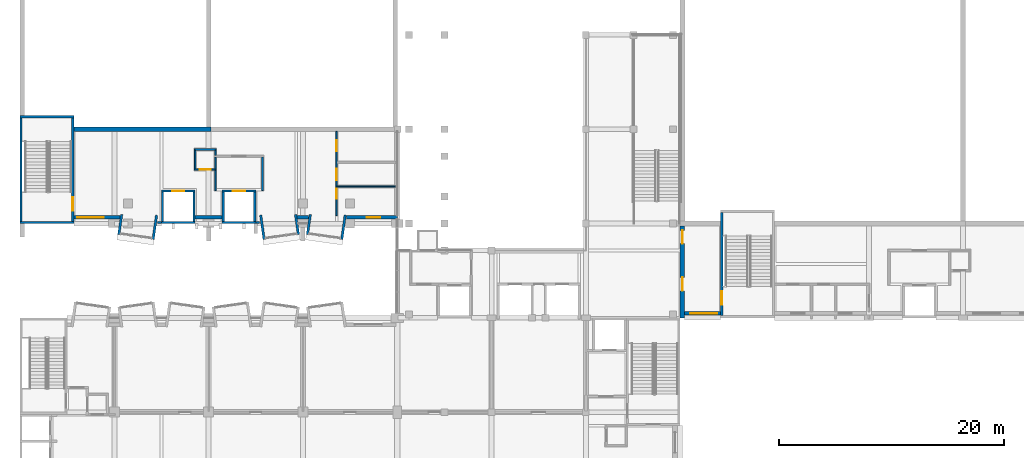
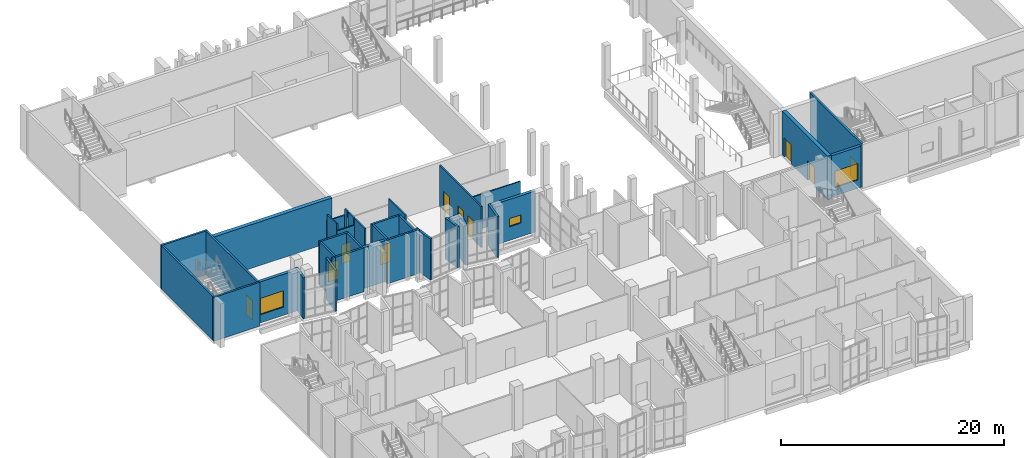
# One storey, part 33 of 91: 37 walls, 10 doors, 3 windows, 13 openings.
"""IFC4 building model written with IfcOpenShell, lengths in metres."""

import ifcopenshell
import ifcopenshell.guid

model = None  # the IFC model being written
_history = None  # IfcOwnerHistory: only IFC2X3 demands one
_inside = {}  # id of a spatial element -> (the spatial element, [elements in it])
_under = {}  # id of a project, library or spatial element -> (it, [spatial elements below it])
_declared = {}  # id of a project -> (the project, [libraries it declares])
_typed = {}  # id of a type object -> (the type object, [elements of that type])
_made_of = {}  # id of a material, layer set ... -> (it, [elements and type objects made of it])


def new_model(schema):
    """Start an empty IFC model of exactly this schema.

    Asked for "IFC4X3", IfcOpenShell would pick the latest addendum, in which some entities
    have other attributes; the version numbers below select the first issue.
    IFC2X3 requires an IfcOwnerHistory on every rooted entity: one is made here for all.
    """
    global model, _history
    if schema == "IFC4X3":
        model = ifcopenshell.file(schema_version=(4, 3, 0, 0))
    else:
        model = ifcopenshell.file(schema=schema)
    _inside.clear()
    _under.clear()
    _declared.clear()
    _typed.clear()
    _made_of.clear()
    _history = None
    if model.schema == "IFC2X3":
        org = make("IfcOrganization", Name="unknown")
        user = make(
            "IfcPersonAndOrganization",
            ThePerson=make("IfcPerson", FamilyName="unknown"),
            TheOrganization=org,
        )
        app = make(
            "IfcApplication",
            ApplicationDeveloper=org,
            Version="unknown",
            ApplicationFullName="unknown",
            ApplicationIdentifier="unknown",
        )
        _history = make(
            "IfcOwnerHistory",
            OwningUser=user,
            OwningApplication=app,
            ChangeAction="ADDED",
            CreationDate=0,
        )
    return model


def make(cls, **values):
    """One entity of the class cls with the attributes given. An attribute that is None is left unset."""
    return model.create_entity(
        cls, **{name: value for name, value in values.items() if value is not None}
    )


def rooted(cls, **values):
    """An entity with a GlobalId (a new one), such as an element, a storey or a relation."""
    return make(cls, GlobalId=ifcopenshell.guid.new(), OwnerHistory=_history, **values)


def si_unit(unit_type, name, prefix=None):
    """IfcSIUnit, for example si_unit("LENGTHUNIT", "METRE", prefix="MILLI")."""
    return make("IfcSIUnit", UnitType=unit_type, Prefix=prefix, Name=name)


def assignment(units):
    """IfcUnitAssignment: the units of a project."""
    return None if units is None else make("IfcUnitAssignment", Units=units)


def point(xyz):
    """IfcCartesianPoint."""
    return None if xyz is None else make("IfcCartesianPoint", Coordinates=xyz)


def direction(xyz):
    """IfcDirection."""
    return None if xyz is None else make("IfcDirection", DirectionRatios=xyz)


def frame(location, z_axis=None, x_axis=None):
    """IfcAxis2Placement3D, a coordinate frame: its origin and axes. An axis left out is left unset."""
    return make(
        "IfcAxis2Placement3D",
        Location=point(location),
        Axis=direction(z_axis),
        RefDirection=direction(x_axis),
    )


def frame_2d(location, x_axis=None):
    """IfcAxis2Placement2D, a coordinate frame in the plane: its origin and x axis."""
    return make(
        "IfcAxis2Placement2D", Location=point(location), RefDirection=direction(x_axis)
    )


def origin():
    """The frame at (0, 0, 0) with its axes left unset."""
    return frame((0.0, 0.0, 0.0))


def place(relative_to, where):
    """IfcLocalPlacement: puts the frame where relative to a parent placement (None: the world)."""
    return make(
        "IfcLocalPlacement", PlacementRelTo=relative_to, RelativePlacement=where
    )


def context(
    kind, dimensions, precision=None, world=None, true_north=None, identifier=None
):
    """IfcGeometricRepresentationContext, for example the 3D "Model" context."""
    return make(
        "IfcGeometricRepresentationContext",
        ContextIdentifier=identifier,
        ContextType=kind,
        CoordinateSpaceDimension=dimensions,
        Precision=precision,
        WorldCoordinateSystem=world,
        TrueNorth=true_north,
    )


def subcontext(parent, identifier, kind, view, scale=None):
    """IfcGeometricRepresentationSubContext, for example "Body" below "Model"."""
    return make(
        "IfcGeometricRepresentationSubContext",
        ContextIdentifier=identifier,
        ContextType=kind,
        ParentContext=parent,
        TargetScale=scale,
        TargetView=view,
    )


def project(units=None, contexts=None):
    """IfcProject with its units and contexts."""
    return rooted(
        "IfcProject",
        Name="project",
        RepresentationContexts=contexts,
        UnitsInContext=assignment(units),
    )


def spatial(cls, under=None, at=None, **own):
    """A site, building, storey or space (cls), placed at a placement, below another one or the project."""
    s = rooted(cls, ObjectPlacement=at, **own)
    if under is not None:
        _under.setdefault(under.id(), (under, []))[1].append(s)
    return s


def profile(cls, at=None, kind="AREA", **sizes):
    """A parametric profile (cls). Its sizes go by their IFC names, for example OverallWidth=200.0."""
    return make(cls, ProfileType=kind, Position=at, **sizes)


def rectangle(**sizes):
    """IfcRectangleProfileDef."""
    return profile("IfcRectangleProfileDef", **sizes)


def extrude(swept, where, along, depth):
    """IfcExtrudedAreaSolid: the profile swept, set in the frame where, extruded along a direction by depth."""
    return make(
        "IfcExtrudedAreaSolid",
        SweptArea=swept,
        Position=where,
        ExtrudedDirection=direction(along),
        Depth=depth,
    )


def shape(context_of_items, identifier, shape_type, items):
    """IfcShapeRepresentation: the items that make up one representation, for example the "Body"."""
    return make(
        "IfcShapeRepresentation",
        ContextOfItems=context_of_items,
        RepresentationIdentifier=identifier,
        RepresentationType=shape_type,
        Items=items,
    )


def material(Name=None, Category=None):
    """IfcMaterial."""
    return make("IfcMaterial", Name=Name, Category=Category)


def layer(
    of_material, thickness, ventilated=None, Name=None, Category=None, Priority=None
):
    """IfcMaterialLayer: one layer of a wall or slab, of a material (None: an air gap)."""
    return make(
        "IfcMaterialLayer",
        Material=of_material,
        LayerThickness=thickness,
        IsVentilated=ventilated,
        Name=Name,
        Category=Category,
        Priority=Priority,
    )


def layer_set(layers, Name=None):
    """IfcMaterialLayerSet."""
    return make("IfcMaterialLayerSet", MaterialLayers=layers, LayerSetName=Name)


def made_of(thing, what):
    """Note that an element or type object is made of a material, layer set ...; save() writes the relation."""
    if what is not None:
        _made_of.setdefault(what.id(), (what, []))[1].append(thing)
    return thing


def type_object(cls, material=None, **own):
    """A type object (cls), such as IfcWallType, which elements share."""
    return made_of(rooted(cls, **own), material)


def element(
    cls,
    number,
    at=None,
    inside=None,
    cuts=None,
    type_object=None,
    material=None,
    context=None,
    identifier="Body",
    shape_type=None,
    held_by="IfcProductDefinitionShape",
    body=None,
    shapes=None,
    **own,
):
    """One element of the class cls, such as IfcWall. Its Tag is "e" and its number.

    at: its placement. inside: the storey or other place that contains it. cuts: it is an
    opening in that element (IfcRelVoidsElement). A single representation is given by context,
    identifier, shape_type and body (its items); several are given by shapes. held_by: the class
    of the entity that holds the representations. save() writes the other relations.
    """
    e = rooted(cls, Tag="e%d" % number, ObjectPlacement=at, **own)
    if body is not None:
        shapes = [shape(context, identifier, shape_type, body)]
    if shapes is not None:
        e.Representation = make(held_by, Representations=shapes)
    if inside is not None:
        _inside.setdefault(inside.id(), (inside, []))[1].append(e)
    if cuts is not None:
        rooted(
            "IfcRelVoidsElement", RelatingBuildingElement=cuts, RelatedOpeningElement=e
        )
    if type_object is not None:
        _typed.setdefault(type_object.id(), (type_object, []))[1].append(e)
    return made_of(e, material)


def fill(opening, filler):
    """IfcRelFillsElement: the door or window that sits in an opening."""
    return rooted(
        "IfcRelFillsElement",
        RelatingOpeningElement=opening,
        RelatedBuildingElement=filler,
    )


def aggregate(whole, parts):
    """IfcRelAggregates: a whole, such as a stair, and the parts it consists of."""
    return rooted("IfcRelAggregates", RelatingObject=whole, RelatedObjects=parts)


def save(model, path):
    """Write the relations noted so far, then the file.

    IfcRelAggregates (storeys below a building ...), IfcRelContainedInSpatialStructure (elements
    in a storey), IfcRelDefinesByType, IfcRelAssociatesMaterial and IfcRelDeclares: one each for
    every whole, place, type object, material and project.
    """
    for whole, parts in _under.values():
        aggregate(whole, parts)
    for where, things in _inside.values():
        rooted(
            "IfcRelContainedInSpatialStructure",
            RelatedElements=things,
            RelatingStructure=where,
        )
    for kind, things in _typed.values():
        rooted("IfcRelDefinesByType", RelatedObjects=things, RelatingType=kind)
    for what, things in _made_of.values():
        rooted("IfcRelAssociatesMaterial", RelatedObjects=things, RelatingMaterial=what)
    for by, libraries in _declared.values():
        rooted("IfcRelDeclares", RelatingContext=by, RelatedDefinitions=libraries)
    model.write(path)


model = new_model("IFC4")

# Units and contexts
model_context = context("Model", 3, precision=1e-05, world=origin(), true_north=direction((0.0, 1.0)))
body_context = subcontext(model_context, "Body", "Model", "MODEL_VIEW")
ifc_project = project(units=[si_unit("LENGTHUNIT", "METRE"), si_unit("AREAUNIT", "SQUARE_METRE"), si_unit("VOLUMEUNIT", "CUBIC_METRE"), si_unit("PLANEANGLEUNIT", "RADIAN"), si_unit("MASSUNIT", "GRAM", prefix="KILO")], contexts=[model_context])

# Site, building, storey
site_placement = place(None, origin())
site = spatial("IfcSite", under=ifc_project, at=site_placement, CompositionType="ELEMENT")
building_placement = place(site_placement, origin())
building = spatial("IfcBuilding", under=site, at=building_placement, Name="Kiln Court Media Centre", CompositionType="ELEMENT")
storey_placement = place(building_placement, frame((0.0, 0.0, 5.39990234375)))
storey = spatial("IfcBuildingStorey", under=building, at=storey_placement, Name="L01", CompositionType="ELEMENT", Elevation=5.39990234375)

# Walls
ifc_material_1 = material(Name="Concrete block masonry M7.5", Category="masonry")
ifc_layer_1 = layer(ifc_material_1, 0.14990234375)
ifc_layer_set_1 = layer_set([ifc_layer_1], Name="Block lobby wall 150 EI 120")
wall_type_1 = type_object("IfcWallType", Name="Block lobby wall 150 EI 120", PredefinedType="SOLIDWALL", material=ifc_layer_set_1)
wall_1_placement = place(storey_placement, frame((17.39990234375, 36.52490234375, 0.0), z_axis=(0.0, 0.0, 1.0), x_axis=(0.0, 1.0, 0.0)))
element("IfcWall", 1, at=wall_1_placement, inside=storey, type_object=wall_type_1, Name="L01 block lobby wall", PredefinedType="SOLIDWALL", context=body_context, shape_type="SweptSolid", body=[
    extrude(rectangle(XDim=1.800048828125, YDim=0.14990234375, at=frame_2d((0.89990234375, 0.0))), origin(), (0.0, 0.0, 1.0), 4.5),
])
wall_2_placement = place(storey_placement, frame((17.39990234375, 38.47509765625, 0.0), z_axis=(0.0, 0.0, 1.0), x_axis=(0.0, 1.0, 0.0)))
element("IfcWall", 2, at=wall_2_placement, inside=storey, type_object=wall_type_1, Name="L01 block lobby wall", PredefinedType="SOLIDWALL", context=body_context, shape_type="SweptSolid", body=[
    extrude(rectangle(XDim=1.0498046875, YDim=0.14990234375, at=frame_2d((0.52490234375, 0.0))), origin(), (0.0, 0.0, 1.0), 4.5),
])
wall_3_placement = place(storey_placement, frame((21.60009765625, 36.52490234375, 0.0), z_axis=(0.0, 0.0, 1.0), x_axis=(0.0, 1.0, 0.0)))
element("IfcWall", 3, at=wall_3_placement, inside=storey, type_object=wall_type_1, Name="L01 block lobby wall", PredefinedType="SOLIDWALL", context=body_context, shape_type="SweptSolid", body=[
    extrude(rectangle(XDim=3.0, YDim=0.14990234375, at=frame_2d((1.5, 0.0))), origin(), (0.0, 0.0, 1.0), 4.5),
])
ifc_material_2 = material(Name="Brick masonry facing leaf with RC backing", Category="masonry")
ifc_layer_2 = layer(ifc_material_2, 0.215087890625)
ifc_layer_set_2 = layer_set([ifc_layer_2], Name="Brick masonry bay cheek wall 215")
wall_type_2 = type_object("IfcWallType", Name="Brick masonry bay cheek wall 215", PredefinedType="SOLIDWALL", material=ifc_layer_set_2)
wall_4_placement = place(storey_placement, frame((9.055908203125, 34.40869140625, 0.0), z_axis=(0.0, 0.0, 1.0), x_axis=(-0.13918000587, -0.990267098295, 0.0)))
element("IfcWall", 4, at=wall_4_placement, inside=storey, type_object=wall_type_2, Name="BAY V4-S-L01-03 cheek L", PredefinedType="SOLIDWALL", context=body_context, shape_type="SweptSolid", body=[
    extrude(rectangle(XDim=1.7998046875, YDim=0.215087890625, at=frame_2d((0.89990234375, 0.0))), origin(), (0.0, 0.0, 1.0), 4.5),
])
wall_5_placement = place(storey_placement, frame((12.162353515625, 34.344970703125, 0.0), z_axis=(0.0, 0.0, 1.0), x_axis=(-0.139120311566, -0.990275486372, 0.0)))
element("IfcWall", 5, at=wall_5_placement, inside=storey, type_object=wall_type_2, Name="BAY V4-S-L01-03 cheek R", PredefinedType="SOLIDWALL", context=body_context, shape_type="SweptSolid", body=[
    extrude(rectangle(XDim=2.1689453125, YDim=0.215087890625, at=frame_2d((1.08447265625, 0.0))), origin(), (0.0, 0.0, 1.0), 4.5),
])
wall_6_placement = place(storey_placement, frame((21.4375, 34.344970703125, 0.0), z_axis=(0.0, 0.0, 1.0), x_axis=(0.139230687381, -0.99025997379, 0.0)))
element("IfcWall", 6, at=wall_6_placement, inside=storey, type_object=wall_type_2, Name="BAY V4-S-L01-06 cheek L", PredefinedType="SOLIDWALL", context=body_context, shape_type="SweptSolid", body=[
    extrude(rectangle(XDim=2.169189453125, YDim=0.215087890625, at=frame_2d((1.08447265625, 0.0))), origin(), (0.0, 0.0, 1.0), 4.5),
])
for number, where, z_axis, x_axis, name in (
    (7, (24.5439453125, 34.40869140625, 0.0), (0.0, 0.0, 1.0), (0.13918000587, -0.990267098295, 0.0), "BAY V4-S-L01-06 cheek R"),
    (8, (25.85595703125, 34.40869140625, 0.0), (0.0, 0.0, 1.0), (-0.13918000587, -0.990267098295, 0.0), "BAY V4-S-L01-07 cheek L"),
):
    element("IfcWall", number, at=place(storey_placement, frame(where, z_axis=z_axis, x_axis=x_axis)), inside=storey, type_object=wall_type_2, Name=name, PredefinedType="SOLIDWALL", context=body_context, shape_type="SweptSolid", body=[
        extrude(rectangle(XDim=1.7998046875, YDim=0.215087890625, at=frame_2d((0.89990234375, 0.0))), origin(), (0.0, 0.0, 1.0), 4.5),
    ])
wall_7_placement = place(storey_placement, frame((28.96240234375, 34.344970703125, 0.0), z_axis=(0.0, 0.0, 1.0), x_axis=(-0.139230687381, -0.99025997379, 0.0)))
element("IfcWall", 9, at=wall_7_placement, inside=storey, type_object=wall_type_2, Name="BAY V4-S-L01-07 cheek R", PredefinedType="SOLIDWALL", context=body_context, shape_type="SweptSolid", body=[
    extrude(rectangle(XDim=2.169189453125, YDim=0.215087890625, at=frame_2d((1.08447265625, 0.0))), origin(), (0.0, 0.0, 1.0), 4.5),
])
ifc_material_3 = material(Name="Concrete C40/50", Category="concrete")
ifc_layer_3 = layer(ifc_material_3, 0.39990234375)
ifc_layer_set_3 = layer_set([ifc_layer_3], Name="Concrete C40/50 auditorium wall 400")
wall_type_3 = type_object("IfcWallType", Name="Concrete C40/50 auditorium wall 400", PredefinedType="SHEAR", material=ifc_layer_set_3)
wall_8_placement = place(storey_placement, frame((17.0, 42.0, 0.0), z_axis=(0.0, 0.0, 1.0), x_axis=(-1.0, 0.0, 0.0)))
element("IfcWall", 10, at=wall_8_placement, inside=storey, type_object=wall_type_3, Name="L01-W-1118", PredefinedType="SHEAR", context=body_context, shape_type="SweptSolid", body=[
    extrude(rectangle(XDim=12.199951171875, YDim=0.39990234375, at=frame_2d((6.10009765625, 0.0))), origin(), (0.0, 0.0, 1.0), 4.800048828125),
])

# Wall, openings, doors
wall_9_placement = place(storey_placement, frame((59.0, 25.199951171875, 0.0), z_axis=(0.0, 0.0, 1.0), x_axis=(0.0, 1.0, 0.0)))
wall_9 = element("IfcWall", 11, at=wall_9_placement, inside=storey, type_object=wall_type_3, Name="L01-W-1141", PredefinedType="SHEAR", context=body_context, shape_type="SweptSolid", body=[
    extrude(rectangle(XDim=8.175048828125, YDim=0.39990234375, at=frame_2d((4.08740234375, 0.0))), origin(), (0.0, 0.0, 1.0), 4.800048828125),
])
opening_1_placement = place(wall_9_placement, frame((2.39990234375, 0.0, 0.0)))
opening_1 = element("IfcOpeningElement", 12, at=opening_1_placement, cuts=wall_9, Name="Opening D1019", PredefinedType="OPENING", context=body_context, shape_type="SweptSolid", body=[
    extrude(rectangle(XDim=1.199951171875, YDim=2.10009765625, at=frame_2d((0.60009765625, 1.050048828125))), frame((0.0, 0.2099609375, 0.0), z_axis=(0.0, -1.0, 0.0), x_axis=(1.0, 0.0, 0.0)), (0.0, 0.0, 1.0), 0.419921875),
])
opening_2_placement = place(wall_9_placement, frame((6.60009765625, 0.0, 0.0)))
opening_2 = element("IfcOpeningElement", 13, at=opening_2_placement, cuts=wall_9, Name="Opening D1020", PredefinedType="OPENING", context=body_context, shape_type="SweptSolid", body=[
    extrude(rectangle(XDim=1.199951171875, YDim=2.10009765625, at=frame_2d((0.60009765625, 1.050048828125))), frame((0.0, 0.2099609375, 0.0), z_axis=(0.0, -1.0, 0.0), x_axis=(1.0, 0.0, 0.0)), (0.0, 0.0, 1.0), 0.419921875),
])
ifc_material_4 = material(Name="Steel S275", Category="steel")
door_type_1 = type_object("IfcDoorType", Name="Steel fire-wall door 1200 x 2100 FD180", OperationType="SINGLE_SWING_LEFT", PredefinedType="DOOR", material=ifc_material_4)
door_1_placement = place(opening_1_placement, origin())
door_1 = element("IfcDoor", 14, at=door_1_placement, inside=storey, type_object=door_type_1, Name="South Gallery East / Foyer Link", OperationType="SINGLE_SWING_RIGHT", OverallHeight=2.10009765625, OverallWidth=1.199951171875, PredefinedType="DOOR", context=body_context, shape_type="SweptSolid", body=[
    extrude(rectangle(XDim=1.199951171875, YDim=2.10009765625, at=frame_2d((0.60009765625, 1.050048828125))), frame((0.0, 0.02490234375, 0.0), z_axis=(0.0, -1.0, 0.0), x_axis=(1.0, 0.0, 0.0)), (0.0, 0.0, 1.0), 0.050048828125),
])
fill(opening_1, door_1)
door_2_placement = place(opening_2_placement, origin())
door_2 = element("IfcDoor", 15, at=door_2_placement, inside=storey, type_object=door_type_1, Name="Stair Landing Gallery / Foyer Link", OperationType="SINGLE_SWING_LEFT", OverallHeight=2.10009765625, OverallWidth=1.199951171875, PredefinedType="DOOR", context=body_context, shape_type="SweptSolid", body=[
    extrude(rectangle(XDim=1.199951171875, YDim=2.10009765625, at=frame_2d((0.60009765625, 1.050048828125))), frame((0.0, 0.02490234375, 0.0), z_axis=(0.0, -1.0, 0.0), x_axis=(1.0, 0.0, 0.0)), (0.0, 0.0, 1.0), 0.050048828125),
])
fill(opening_2, door_2)

# Wall, opening, window
ifc_material_5 = material(Name="Concrete C40/50", Category="concrete")
ifc_layer_4 = layer(ifc_material_5, 0.300048828125)
ifc_layer_set_4 = layer_set([ifc_layer_4], Name="Concrete C40/50 board-marked facade wall 300")
wall_type_4 = type_object("IfcWallType", Name="Concrete C40/50 board-marked facade wall 300", PredefinedType="SOLIDWALL", material=ifc_layer_set_4)
wall_10_placement = place(storey_placement, frame((62.39990234375, 25.60009765625, 0.0), z_axis=(0.0, 0.0, 1.0), x_axis=(-1.0, 0.0, 0.0)))
wall_10 = element("IfcWall", 16, at=wall_10_placement, inside=storey, type_object=wall_type_4, Name="V1 S facade wall 4000", PredefinedType="SOLIDWALL", context=body_context, shape_type="SweptSolid", body=[
    extrude(rectangle(XDim=3.199951171875, YDim=0.300048828125, at=frame_2d((1.60009765625, 0.0))), origin(), (0.0, 0.0, 1.0), 4.5),
])
opening_3_placement = place(wall_10_placement, frame((0.300048828125, 0.0, 0.89990234375)))
opening_3 = element("IfcOpeningElement", 17, at=opening_3_placement, cuts=wall_10, Name="Opening WN1500", PredefinedType="OPENING", context=body_context, shape_type="SweptSolid", body=[
    extrude(rectangle(XDim=2.39990234375, YDim=1.800048828125, at=frame_2d((1.199951171875, 0.89990234375))), frame((0.0, 0.159912109375, 0.0), z_axis=(0.0, -1.0, 0.0), x_axis=(1.0, 0.0, 0.0)), (0.0, 0.0, 1.0), 0.320068359375),
])
ifc_material_6 = material(Name="Aluminium 6063-T6", Category="aluminium")
window_type_1 = type_object("IfcWindowType", Name="Aluminium lobby window 2400x1800", PartitioningType="TRIPLE_PANEL_VERTICAL", PredefinedType="WINDOW", material=ifc_material_6)
window_1_placement = place(opening_3_placement, origin())
window_1 = element("IfcWindow", 18, at=window_1_placement, inside=storey, type_object=window_type_1, Name="V1 S circulation window", OverallHeight=1.800048828125, OverallWidth=2.39990234375, PartitioningType="SINGLE_PANEL", PredefinedType="WINDOW", context=body_context, shape_type="SweptSolid", body=[
    extrude(rectangle(XDim=2.39990234375, YDim=1.800048828125, at=frame_2d((1.199951171875, 0.89990234375))), frame((0.0, 0.030029296875, 0.0), z_axis=(0.0, -1.0, 0.0), x_axis=(1.0, 0.0, 0.0)), (0.0, 0.0, 1.0), 0.06005859375),
])
fill(opening_3, window_1)

wall_11_placement = place(storey_placement, frame((8.890380859375, 34.14990234375, 0.0), z_axis=(0.0, 0.0, 1.0), x_axis=(-1.0, 0.0, 0.0)))
wall_11 = element("IfcWall", 19, at=wall_11_placement, inside=storey, type_object=wall_type_4, Name="V4 S facade wall 4004", PredefinedType="SOLIDWALL", context=body_context, shape_type="SweptSolid", body=[
    extrude(rectangle(XDim=4.09033203125, YDim=0.300048828125, at=frame_2d((2.045166015625, 0.0))), origin(), (0.0, 0.0, 1.0), 4.5),
])
opening_4_placement = place(wall_11_placement, frame((1.4111328125, 0.0, 0.89990234375)))
opening_4 = element("IfcOpeningElement", 20, at=opening_4_placement, cuts=wall_11, Name="Opening WN1506", PredefinedType="OPENING", context=body_context, shape_type="SweptSolid", body=[
    extrude(rectangle(XDim=2.39990234375, YDim=1.800048828125, at=frame_2d((1.199951171875, 0.89990234375))), frame((0.0, 0.159912109375, 0.0), z_axis=(0.0, -1.0, 0.0), x_axis=(1.0, 0.0, 0.0)), (0.0, 0.0, 1.0), 0.320068359375),
])
window_2_placement = place(opening_4_placement, origin())
window_2 = element("IfcWindow", 21, at=window_2_placement, inside=storey, type_object=window_type_1, Name="V4 S lounge window", OverallHeight=1.800048828125, OverallWidth=2.39990234375, PartitioningType="SINGLE_PANEL", PredefinedType="WINDOW", context=body_context, shape_type="SweptSolid", body=[
    extrude(rectangle(XDim=2.39990234375, YDim=1.800048828125, at=frame_2d((1.199951171875, 0.89990234375))), frame((0.0, 0.030029296875, 0.0), z_axis=(0.0, -1.0, 0.0), x_axis=(1.0, 0.0, 0.0)), (0.0, 0.0, 1.0), 0.06005859375),
])
fill(opening_4, window_2)

# Walls
wall_12_placement = place(storey_placement, frame((18.0, 34.14990234375, 0.0), z_axis=(0.0, 0.0, 1.0), x_axis=(-1.0, 0.0, 0.0)))
element("IfcWall", 22, at=wall_12_placement, inside=storey, type_object=wall_type_4, Name="V4 S facade wall 4005", PredefinedType="SOLIDWALL", context=body_context, shape_type="SweptSolid", body=[
    extrude(rectangle(XDim=2.39990234375, YDim=0.300048828125, at=frame_2d((1.199951171875, 0.0))), origin(), (0.0, 0.0, 1.0), 4.5),
])
wall_13_placement = place(storey_placement, frame((25.711181640625, 34.14990234375, 0.0), z_axis=(0.0, 0.0, 1.0), x_axis=(-1.0, 0.0, 0.0)))
element("IfcWall", 23, at=wall_13_placement, inside=storey, type_object=wall_type_4, Name="V4 S facade wall 4006", PredefinedType="SOLIDWALL", context=body_context, shape_type="SweptSolid", body=[
    extrude(rectangle(XDim=1.022216796875, YDim=0.300048828125, at=frame_2d((0.51123046875, 0.0))), origin(), (0.0, 0.0, 1.0), 4.5),
])

# Wall, opening, window
wall_14_placement = place(storey_placement, frame((33.60009765625, 34.14990234375, 0.0), z_axis=(0.0, 0.0, 1.0), x_axis=(-1.0, 0.0, 0.0)))
wall_14 = element("IfcWall", 24, at=wall_14_placement, inside=storey, type_object=wall_type_4, Name="V4 S facade wall 4007", PredefinedType="SOLIDWALL", context=body_context, shape_type="SweptSolid", body=[
    extrude(rectangle(XDim=4.535888671875, YDim=0.300048828125, at=frame_2d((2.26806640625, 0.0))), origin(), (0.0, 0.0, 1.0), 4.5),
])
opening_5_placement = place(wall_14_placement, frame((1.5, 0.0, 1.5)))
opening_5 = element("IfcOpeningElement", 25, at=opening_5_placement, cuts=wall_14, Name="Opening WN1507", PredefinedType="OPENING", context=body_context, shape_type="SweptSolid", body=[
    extrude(rectangle(XDim=1.199951171875, YDim=0.89990234375, at=frame_2d((0.60009765625, 0.449951171875))), frame((0.0, 0.159912109375, 0.0), z_axis=(0.0, -1.0, 0.0), x_axis=(1.0, 0.0, 0.0)), (0.0, 0.0, 1.0), 0.320068359375),
])
ifc_material_7 = material(Name="Aluminium 6063-T6", Category="aluminium")
window_type_2 = type_object("IfcWindowType", Name="Aluminium control room window 1200x900", PartitioningType="SINGLE_PANEL", PredefinedType="WINDOW", material=ifc_material_7)
window_3_placement = place(opening_5_placement, origin())
window_3 = element("IfcWindow", 26, at=window_3_placement, inside=storey, type_object=window_type_2, Name="V4 S wc window", OverallHeight=0.89990234375, OverallWidth=1.199951171875, PartitioningType="SINGLE_PANEL", PredefinedType="WINDOW", context=body_context, shape_type="SweptSolid", body=[
    extrude(rectangle(XDim=1.199951171875, YDim=0.89990234375, at=frame_2d((0.60009765625, 0.449951171875))), frame((0.0, 0.030029296875, 0.0), z_axis=(0.0, -1.0, 0.0), x_axis=(1.0, 0.0, 0.0)), (0.0, 0.0, 1.0), 0.06005859375),
])
fill(opening_5, window_3)

# Walls
ifc_material_8 = material(Name="Concrete C40/50", Category="concrete")
ifc_layer_5 = layer(ifc_material_8, 0.199951171875)
ifc_layer_set_5 = layer_set([ifc_layer_5], Name="Concrete C40/50 shear wall 200")
wall_type_5 = type_object("IfcWallType", Name="Concrete C40/50 shear wall 200", PredefinedType="SHEAR", material=ifc_layer_set_5)
for number, where, z_axis, x_axis, name in (
    (27, (4.800048828125, 33.699951171875, 0.0), (0.0, 0.0, 1.0), (-1.0, 0.0, 0.0), "L01-W-1020"),
    (28, (0.00048828125, 43.10009765625, 0.0), (0.0, 0.0, 1.0), (1.0, 0.0, 0.0), "L01-W-1021"),
):
    element("IfcWall", number, at=place(storey_placement, frame(where, z_axis=z_axis, x_axis=x_axis)), inside=storey, type_object=wall_type_5, Name=name, PredefinedType="SHEAR", context=body_context, shape_type="SweptSolid", body=[
        extrude(rectangle(XDim=4.799560546875, YDim=0.199951171875, at=frame_2d((2.39990234375, 0.0))), origin(), (0.0, 0.0, 1.0), 4.800048828125),
    ])
wall_15_placement = place(storey_placement, frame((0.100341796875, 33.800048828125, 0.0), z_axis=(0.0, 0.0, 1.0), x_axis=(0.0, 1.0, 0.0)))
element("IfcWall", 29, at=wall_15_placement, inside=storey, type_object=wall_type_5, Name="L01-W-1022", PredefinedType="SHEAR", context=body_context, shape_type="SweptSolid", body=[
    extrude(rectangle(XDim=9.199951171875, YDim=0.199951171875, at=frame_2d((4.60009765625, 0.0))), origin(), (0.0, 0.0, 1.0), 4.800048828125),
])

# Wall, opening, door
wall_16_placement = place(storey_placement, frame((4.699951171875, 43.0, 0.0), z_axis=(0.0, 0.0, 1.0), x_axis=(0.0, -1.0, 0.0)))
wall_16 = element("IfcWall", 30, at=wall_16_placement, inside=storey, type_object=wall_type_5, Name="L01-W-1023", PredefinedType="SHEAR", context=body_context, shape_type="SweptSolid", body=[
    extrude(rectangle(XDim=9.199951171875, YDim=0.199951171875, at=frame_2d((4.60009765625, 0.0))), origin(), (0.0, 0.0, 1.0), 4.800048828125),
])
opening_6_placement = place(wall_16_placement, frame((7.050048828125, 0.0, 0.0)))
opening_6 = element("IfcOpeningElement", 31, at=opening_6_placement, cuts=wall_16, Name="Opening D1007", PredefinedType="OPENING", context=body_context, shape_type="SweptSolid", body=[
    extrude(rectangle(XDim=1.199951171875, YDim=2.10009765625, at=frame_2d((0.60009765625, 1.050048828125))), frame((0.0, 0.10986328125, 0.0), z_axis=(0.0, -1.0, 0.0), x_axis=(1.0, 0.0, 0.0)), (0.0, 0.0, 1.0), 0.219970703125),
])
ifc_material_9 = material(Name="Steel S275", Category="steel")
door_type_2 = type_object("IfcDoorType", Name="Steel stair door 1200 x 2100 FD180", OperationType="SINGLE_SWING_LEFT", PredefinedType="DOOR", material=ifc_material_9)
door_3_placement = place(opening_6_placement, origin())
door_3 = element("IfcDoor", 32, at=door_3_placement, inside=storey, type_object=door_type_2, Name="Stair 6 / Cinema Lounge", OperationType="SINGLE_SWING_LEFT", OverallHeight=2.10009765625, OverallWidth=1.199951171875, PredefinedType="DOOR", context=body_context, shape_type="SweptSolid", body=[
    extrude(rectangle(XDim=1.199951171875, YDim=2.10009765625, at=frame_2d((0.60009765625, 1.050048828125))), frame((0.0, 0.02490234375, 0.0), z_axis=(0.0, -1.0, 0.0), x_axis=(1.0, 0.0, 0.0)), (0.0, 0.0, 1.0), 0.050048828125),
])
fill(opening_6, door_3)

wall_17_placement = place(storey_placement, frame((62.5, 25.39990234375, 0.0), z_axis=(0.0, 0.0, 1.0), x_axis=(0.0, 1.0, 0.0)))
wall_17 = element("IfcWall", 33, at=wall_17_placement, inside=storey, type_object=wall_type_5, Name="L01-W-1034", PredefinedType="SHEAR", context=body_context, shape_type="SweptSolid", body=[
    extrude(rectangle(XDim=9.2001953125, YDim=0.199951171875, at=frame_2d((4.60009765625, 0.0))), origin(), (0.0, 0.0, 1.0), 4.800048828125),
])
opening_7_placement = place(wall_17_placement, frame((0.9501953125, 0.0, 0.0)))
opening_7 = element("IfcOpeningElement", 34, at=opening_7_placement, cuts=wall_17, Name="Opening D1001", PredefinedType="OPENING", context=body_context, shape_type="SweptSolid", body=[
    extrude(rectangle(XDim=1.199951171875, YDim=2.10009765625, at=frame_2d((0.60009765625, 1.050048828125))), frame((0.0, 0.10986328125, 0.0), z_axis=(0.0, -1.0, 0.0), x_axis=(1.0, 0.0, 0.0)), (0.0, 0.0, 1.0), 0.219970703125),
])
door_4_placement = place(opening_7_placement, origin())
door_4 = element("IfcDoor", 35, at=door_4_placement, inside=storey, type_object=door_type_2, Name="Foyer Link / Stair 9", OperationType="SINGLE_SWING_LEFT", OverallHeight=2.10009765625, OverallWidth=1.199951171875, PredefinedType="DOOR", context=body_context, shape_type="SweptSolid", body=[
    extrude(rectangle(XDim=1.199951171875, YDim=2.10009765625, at=frame_2d((0.60009765625, 1.050048828125))), frame((0.0, 0.02490234375, 0.0), z_axis=(0.0, -1.0, 0.0), x_axis=(1.0, 0.0, 0.0)), (0.0, 0.0, 1.0), 0.050048828125),
])
fill(opening_7, door_4)

# Wall
wall_18_placement = place(storey_placement, frame((15.60009765625, 33.699951171875, 0.0), z_axis=(0.0, 0.0, 1.0), x_axis=(-1.0, 0.0, 0.0)))
element("IfcWall", 36, at=wall_18_placement, inside=storey, type_object=wall_type_5, Name="L01-W-1082", PredefinedType="SHEAR", context=body_context, shape_type="SweptSolid", body=[
    extrude(rectangle(XDim=3.0, YDim=0.199951171875, at=frame_2d((1.5, 0.0))), origin(), (0.0, 0.0, 1.0), 4.800048828125),
])

# Wall, opening, door
wall_19_placement = place(storey_placement, frame((12.60009765625, 36.5, 0.0), z_axis=(0.0, 0.0, 1.0), x_axis=(1.0, 0.0, 0.0)))
wall_19 = element("IfcWall", 37, at=wall_19_placement, inside=storey, type_object=wall_type_5, Name="L01-W-1083", PredefinedType="SHEAR", context=body_context, shape_type="SweptSolid", body=[
    extrude(rectangle(XDim=3.0, YDim=0.199951171875, at=frame_2d((1.5, 0.0))), origin(), (0.0, 0.0, 1.0), 4.800048828125),
])
opening_8_placement = place(wall_19_placement, frame((0.949951171875, 0.0, 0.0)))
opening_8 = element("IfcOpeningElement", 38, at=opening_8_placement, cuts=wall_19, Name="Opening LD105", PredefinedType="OPENING", context=body_context, shape_type="SweptSolid", body=[
    extrude(rectangle(XDim=1.10009765625, YDim=2.10009765625, at=frame_2d((0.550048828125, 1.050048828125))), frame((0.0, 0.10986328125, 0.0), z_axis=(0.0, -1.0, 0.0), x_axis=(1.0, 0.0, 0.0)), (0.0, 0.0, 1.0), 0.219970703125),
])
ifc_material_10 = material(Name="Stainless steel", Category="steel")
door_type_3 = type_object("IfcDoorType", Name="Lift landing door 1100 x 2100 FD120", OperationType="SLIDING_TO_LEFT", PredefinedType="DOOR", material=ifc_material_10)
door_5_placement = place(opening_8_placement, origin())
door_5 = element("IfcDoor", 39, at=door_5_placement, inside=storey, type_object=door_type_3, Name="LF-05 landing door L01", OperationType="SLIDING_TO_LEFT", OverallHeight=2.10009765625, OverallWidth=1.10009765625, PredefinedType="DOOR", context=body_context, shape_type="SweptSolid", body=[
    extrude(rectangle(XDim=1.10009765625, YDim=2.10009765625, at=frame_2d((0.550048828125, 1.050048828125))), frame((0.0, 0.02490234375, 0.0), z_axis=(0.0, -1.0, 0.0), x_axis=(1.0, 0.0, 0.0)), (0.0, 0.0, 1.0), 0.050048828125),
])
fill(opening_8, door_5)

# Walls
for number, where, z_axis, x_axis, name in (
    (40, (12.699951171875, 33.800048828125, 0.0), (0.0, 0.0, 1.0), (0.0, 1.0, 0.0), "L01-W-1084"),
    (41, (15.5, 36.39990234375, 0.0), (0.0, 0.0, 1.0), (0.0, -1.0, 0.0), "L01-W-1085"),
):
    element("IfcWall", number, at=place(storey_placement, frame(where, z_axis=z_axis, x_axis=x_axis)), inside=storey, type_object=wall_type_5, Name=name, PredefinedType="SHEAR", context=body_context, shape_type="SweptSolid", body=[
        extrude(rectangle(XDim=2.599853515625, YDim=0.199951171875, at=frame_2d((1.2998046875, 0.0))), origin(), (0.0, 0.0, 1.0), 4.800048828125),
    ])
wall_20_placement = place(storey_placement, frame((21.0, 33.699951171875, 0.0), z_axis=(0.0, 0.0, 1.0), x_axis=(-1.0, 0.0, 0.0)))
element("IfcWall", 42, at=wall_20_placement, inside=storey, type_object=wall_type_5, Name="L01-W-1086", PredefinedType="SHEAR", context=body_context, shape_type="SweptSolid", body=[
    extrude(rectangle(XDim=3.0, YDim=0.199951171875, at=frame_2d((1.5, 0.0))), origin(), (0.0, 0.0, 1.0), 4.800048828125),
])

# Wall, opening, door
wall_21_placement = place(storey_placement, frame((18.0, 36.5, 0.0), z_axis=(0.0, 0.0, 1.0), x_axis=(1.0, 0.0, 0.0)))
wall_21 = element("IfcWall", 43, at=wall_21_placement, inside=storey, type_object=wall_type_5, Name="L01-W-1087", PredefinedType="SHEAR", context=body_context, shape_type="SweptSolid", body=[
    extrude(rectangle(XDim=3.0, YDim=0.199951171875, at=frame_2d((1.5, 0.0))), origin(), (0.0, 0.0, 1.0), 4.800048828125),
])
opening_9_placement = place(wall_21_placement, frame((0.949951171875, 0.0, 0.0)))
opening_9 = element("IfcOpeningElement", 44, at=opening_9_placement, cuts=wall_21, Name="Opening LD106", PredefinedType="OPENING", context=body_context, shape_type="SweptSolid", body=[
    extrude(rectangle(XDim=1.10009765625, YDim=2.10009765625, at=frame_2d((0.550048828125, 1.050048828125))), frame((0.0, 0.10986328125, 0.0), z_axis=(0.0, -1.0, 0.0), x_axis=(1.0, 0.0, 0.0)), (0.0, 0.0, 1.0), 0.219970703125),
])
ifc_material_11 = material(Name="Stainless steel", Category="steel")
door_type_4 = type_object("IfcDoorType", Name="Firefighting lift landing door 1100 x 2100 FD120", OperationType="SLIDING_TO_LEFT", PredefinedType="DOOR", material=ifc_material_11)
door_6_placement = place(opening_9_placement, origin())
door_6 = element("IfcDoor", 45, at=door_6_placement, inside=storey, type_object=door_type_4, Name="LF-06 landing door L01", OperationType="SLIDING_TO_LEFT", OverallHeight=2.10009765625, OverallWidth=1.10009765625, PredefinedType="DOOR", context=body_context, shape_type="SweptSolid", body=[
    extrude(rectangle(XDim=1.10009765625, YDim=2.10009765625, at=frame_2d((0.550048828125, 1.050048828125))), frame((0.0, 0.02490234375, 0.0), z_axis=(0.0, -1.0, 0.0), x_axis=(1.0, 0.0, 0.0)), (0.0, 0.0, 1.0), 0.050048828125),
])
fill(opening_9, door_6)

# Walls
for number, where, z_axis, x_axis, name in (
    (46, (18.10009765625, 33.800048828125, 0.0), (0.0, 0.0, 1.0), (0.0, 1.0, 0.0), "L01-W-1088"),
    (47, (20.89990234375, 36.39990234375, 0.0), (0.0, 0.0, 1.0), (0.0, -1.0, 0.0), "L01-W-1089"),
):
    element("IfcWall", number, at=place(storey_placement, frame(where, z_axis=z_axis, x_axis=x_axis)), inside=storey, type_object=wall_type_5, Name=name, PredefinedType="SHEAR", context=body_context, shape_type="SweptSolid", body=[
        extrude(rectangle(XDim=2.599853515625, YDim=0.199951171875, at=frame_2d((1.2998046875, 0.0))), origin(), (0.0, 0.0, 1.0), 4.800048828125),
    ])
wall_22_placement = place(storey_placement, frame((12.60009765625, 33.699951171875, 0.0), z_axis=(0.0, 0.0, 1.0), x_axis=(-1.0, 0.0, 0.0)))
element("IfcWall", 48, at=wall_22_placement, inside=storey, type_object=wall_type_5, Name="L01-W-1147", PredefinedType="SHEAR", context=body_context, shape_type="SweptSolid", body=[
    extrude(rectangle(XDim=0.333984375, YDim=0.199951171875, at=frame_2d((0.1669921875, 0.0))), origin(), (0.0, 0.0, 1.0), 4.800048828125),
])
wall_23_placement = place(storey_placement, frame((21.333740234375, 33.699951171875, 0.0), z_axis=(0.0, 0.0, 1.0), x_axis=(-1.0, 0.0, 0.0)))
element("IfcWall", 49, at=wall_23_placement, inside=storey, type_object=wall_type_5, Name="L01-W-1148", PredefinedType="SHEAR", context=body_context, shape_type="SweptSolid", body=[
    extrude(rectangle(XDim=0.333740234375, YDim=0.199951171875, at=frame_2d((0.1669921875, 0.0))), origin(), (0.0, 0.0, 1.0), 4.800048828125),
])

# Wall, opening, door
ifc_material_12 = material(Name="Gypsum plasterboard", Category="gypsum")
ifc_layer_6 = layer(ifc_material_12, 0.14990234375)
ifc_layer_set_6 = layer_set([ifc_layer_6], Name="Gypsum corridor partition 150 EI 60")
wall_type_6 = type_object("IfcWallType", Name="Gypsum corridor partition 150 EI 60", PredefinedType="PARTITIONING", material=ifc_layer_set_6)
wall_24_placement = place(storey_placement, frame((15.52490234375, 38.39990234375, 0.0), z_axis=(0.0, 0.0, 1.0), x_axis=(1.0, 0.0, 0.0)))
wall_24 = element("IfcWall", 50, at=wall_24_placement, inside=storey, type_object=wall_type_6, Name="L01 gypsum corridor partition", PredefinedType="PARTITIONING", context=body_context, shape_type="SweptSolid", body=[
    extrude(rectangle(XDim=1.9501953125, YDim=0.14990234375, at=frame_2d((0.97509765625, 0.0))), origin(), (0.0, 0.0, 1.0), 3.800048828125),
])
opening_10_placement = place(wall_24_placement, frame((0.47509765625, 0.0, 0.0)))
opening_10 = element("IfcOpeningElement", 51, at=opening_10_placement, cuts=wall_24, Name="Opening D1063", PredefinedType="OPENING", context=body_context, shape_type="SweptSolid", body=[
    extrude(rectangle(XDim=1.0, YDim=2.10009765625, at=frame_2d((0.5, 1.050048828125))), frame((0.0, 0.0849609375, 0.0), z_axis=(0.0, -1.0, 0.0), x_axis=(1.0, 0.0, 0.0)), (0.0, 0.0, 1.0), 0.169921875),
])
ifc_material_13 = material(Name="Steel S275", Category="steel")
door_type_5 = type_object("IfcDoorType", Name="Steel corridor door 1000 x 2100 FD30S", OperationType="SINGLE_SWING_LEFT", PredefinedType="DOOR", material=ifc_material_13)
door_7_placement = place(opening_10_placement, origin())
door_7 = element("IfcDoor", 52, at=door_7_placement, inside=storey, type_object=door_type_5, Name="Mezzanine Lobby / Wheelchair Refuge", OperationType="SINGLE_SWING_RIGHT", OverallHeight=2.10009765625, OverallWidth=1.0, PredefinedType="DOOR", context=body_context, shape_type="SweptSolid", body=[
    extrude(rectangle(XDim=1.0, YDim=2.10009765625, at=frame_2d((0.5, 1.050048828125))), frame((0.0, 0.02490234375, 0.0), z_axis=(0.0, -1.0, 0.0), x_axis=(1.0, 0.0, 0.0)), (0.0, 0.0, 1.0), 0.050048828125),
])
fill(opening_10, door_7)

# Walls
wall_25_placement = place(storey_placement, frame((15.52490234375, 40.199951171875, 0.0), z_axis=(0.0, 0.0, 1.0), x_axis=(1.0, 0.0, 0.0)))
element("IfcWall", 53, at=wall_25_placement, inside=storey, type_object=wall_type_6, Name="L01 gypsum corridor partition", PredefinedType="PARTITIONING", context=body_context, shape_type="SweptSolid", body=[
    extrude(rectangle(XDim=1.9501953125, YDim=0.14990234375, at=frame_2d((0.97509765625, 0.0))), origin(), (0.0, 0.0, 1.0), 3.800048828125),
])
wall_26_placement = place(storey_placement, frame((15.60009765625, 38.47509765625, 0.0), z_axis=(0.0, 0.0, 1.0), x_axis=(0.0, 1.0, 0.0)))
element("IfcWall", 54, at=wall_26_placement, inside=storey, type_object=wall_type_6, Name="L01 gypsum corridor partition", PredefinedType="PARTITIONING", context=body_context, shape_type="SweptSolid", body=[
    extrude(rectangle(XDim=1.64990234375, YDim=0.14990234375, at=frame_2d((0.824951171875, 0.0))), origin(), (0.0, 0.0, 1.0), 4.5),
])
wall_27_placement = place(storey_placement, frame((17.39990234375, 39.675048828125, 0.0), z_axis=(0.0, 0.0, 1.0), x_axis=(0.0, 1.0, 0.0)))
element("IfcWall", 55, at=wall_27_placement, inside=storey, type_object=wall_type_6, Name="L01 gypsum corridor partition", PredefinedType="PARTITIONING", context=body_context, shape_type="SweptSolid", body=[
    extrude(rectangle(XDim=0.449951171875, YDim=0.14990234375, at=frame_2d((0.22509765625, 0.0))), origin(), (0.0, 0.0, 1.0), 4.5),
])

# Wall, openings, doors
wall_28_placement = place(storey_placement, frame((28.199951171875, 34.300048828125, 0.0), z_axis=(0.0, 0.0, 1.0), x_axis=(0.0, 1.0, 0.0)))
wall_28 = element("IfcWall", 56, at=wall_28_placement, inside=storey, type_object=wall_type_6, Name="L01 gypsum corridor partition", PredefinedType="PARTITIONING", context=body_context, shape_type="SweptSolid", body=[
    extrude(rectangle(XDim=7.5, YDim=0.14990234375, at=frame_2d((3.75, 0.0))), origin(), (0.0, 0.0, 1.0), 4.5),
])
opening_11_placement = place(wall_28_placement, frame((1.5, 0.0, 0.0)))
opening_11 = element("IfcOpeningElement", 57, at=opening_11_placement, cuts=wall_28, Name="Opening D1072", PredefinedType="OPENING", context=body_context, shape_type="SweptSolid", body=[
    extrude(rectangle(XDim=0.89990234375, YDim=2.10009765625, at=frame_2d((0.449951171875, 1.050048828125))), frame((0.0, 0.0849609375, 0.0), z_axis=(0.0, -1.0, 0.0), x_axis=(1.0, 0.0, 0.0)), (0.0, 0.0, 1.0), 0.169921875),
])
opening_12_placement = place(wall_28_placement, frame((3.175048828125, 0.0, 0.0)))
opening_12 = element("IfcOpeningElement", 58, at=opening_12_placement, cuts=wall_28, Name="Opening D1073", PredefinedType="OPENING", context=body_context, shape_type="SweptSolid", body=[
    extrude(rectangle(XDim=1.0, YDim=2.10009765625, at=frame_2d((0.5, 1.050048828125))), frame((0.0, 0.0849609375, 0.0), z_axis=(0.0, -1.0, 0.0), x_axis=(1.0, 0.0, 0.0)), (0.0, 0.0, 1.0), 0.169921875),
])
opening_13_placement = place(wall_28_placement, frame((5.72509765625, 0.0, 0.0)))
opening_13 = element("IfcOpeningElement", 59, at=opening_13_placement, cuts=wall_28, Name="Opening D1074", PredefinedType="OPENING", context=body_context, shape_type="SweptSolid", body=[
    extrude(rectangle(XDim=1.0, YDim=2.10009765625, at=frame_2d((0.5, 1.050048828125))), frame((0.0, 0.0849609375, 0.0), z_axis=(0.0, -1.0, 0.0), x_axis=(1.0, 0.0, 0.0)), (0.0, 0.0, 1.0), 0.169921875),
])
ifc_material_14 = material(Name="Steel S275", Category="steel")
door_type_6 = type_object("IfcDoorType", Name="Steel accessible door 1000 x 2100 FD30S", OperationType="SINGLE_SWING_LEFT", PredefinedType="DOOR", material=ifc_material_14)
door_8_placement = place(opening_13_placement, origin())
door_8 = element("IfcDoor", 60, at=door_8_placement, inside=storey, type_object=door_type_6, Name="Toilet Lobby / Accessible WC", OperationType="SINGLE_SWING_RIGHT", OverallHeight=2.10009765625, OverallWidth=1.0, PredefinedType="DOOR", context=body_context, shape_type="SweptSolid", body=[
    extrude(rectangle(XDim=1.0, YDim=2.10009765625, at=frame_2d((0.5, 1.050048828125))), frame((0.0, 0.02490234375, 0.0), z_axis=(0.0, -1.0, 0.0), x_axis=(1.0, 0.0, 0.0)), (0.0, 0.0, 1.0), 0.050048828125),
])
fill(opening_13, door_8)
door_9_placement = place(opening_12_placement, origin())
door_9 = element("IfcDoor", 61, at=door_9_placement, inside=storey, type_object=door_type_5, Name="Toilet Lobby / Men's WC", OperationType="SINGLE_SWING_LEFT", OverallHeight=2.10009765625, OverallWidth=1.0, PredefinedType="DOOR", context=body_context, shape_type="SweptSolid", body=[
    extrude(rectangle(XDim=1.0, YDim=2.10009765625, at=frame_2d((0.5, 1.050048828125))), frame((0.0, 0.02490234375, 0.0), z_axis=(0.0, -1.0, 0.0), x_axis=(1.0, 0.0, 0.0)), (0.0, 0.0, 1.0), 0.050048828125),
])
fill(opening_12, door_9)
ifc_material_15 = material(Name="Steel S275", Category="steel")
door_type_7 = type_object("IfcDoorType", Name="Steel corridor door 900 x 2100 FD30S", OperationType="SINGLE_SWING_LEFT", PredefinedType="DOOR", material=ifc_material_15)
door_10_placement = place(opening_11_placement, origin())
door_10 = element("IfcDoor", 62, at=door_10_placement, inside=storey, type_object=door_type_7, Name="Toilet Lobby / Women's WC", OperationType="SINGLE_SWING_RIGHT", OverallHeight=2.10009765625, OverallWidth=0.89990234375, PredefinedType="DOOR", context=body_context, shape_type="SweptSolid", body=[
    extrude(rectangle(XDim=0.89990234375, YDim=2.10009765625, at=frame_2d((0.449951171875, 1.050048828125))), frame((0.0, 0.02490234375, 0.0), z_axis=(0.0, -1.0, 0.0), x_axis=(1.0, 0.0, 0.0)), (0.0, 0.0, 1.0), 0.050048828125),
])
fill(opening_11, door_10)

# Wall
ifc_material_16 = material(Name="Gypsum plasterboard", Category="gypsum")
ifc_layer_7 = layer(ifc_material_16, 0.125)
ifc_layer_set_7 = layer_set([ifc_layer_7], Name="Gypsum wet-area partition 125")
wall_type_7 = type_object("IfcWallType", Name="Gypsum wet-area partition 125", PredefinedType="PARTITIONING", material=ifc_layer_set_7)
wall_29_placement = place(storey_placement, frame((28.27490234375, 36.89990234375, 0.0), z_axis=(0.0, 0.0, 1.0), x_axis=(1.0, 0.0, 0.0)))
element("IfcWall", 63, at=wall_29_placement, inside=storey, type_object=wall_type_7, Name="L01 gypsum wet-area partition", PredefinedType="PARTITIONING", context=body_context, shape_type="SweptSolid", body=[
    extrude(rectangle(XDim=5.3876953125, YDim=0.125, at=frame_2d((2.69384765625, 0.0))), origin(), (0.0, 0.0, 1.0), 3.800048828125),
])

save(model, "model.ifc")
